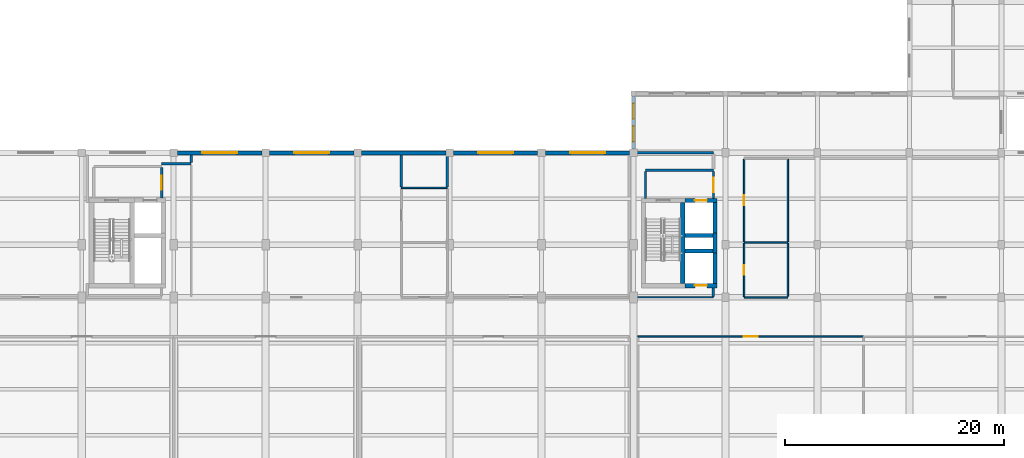
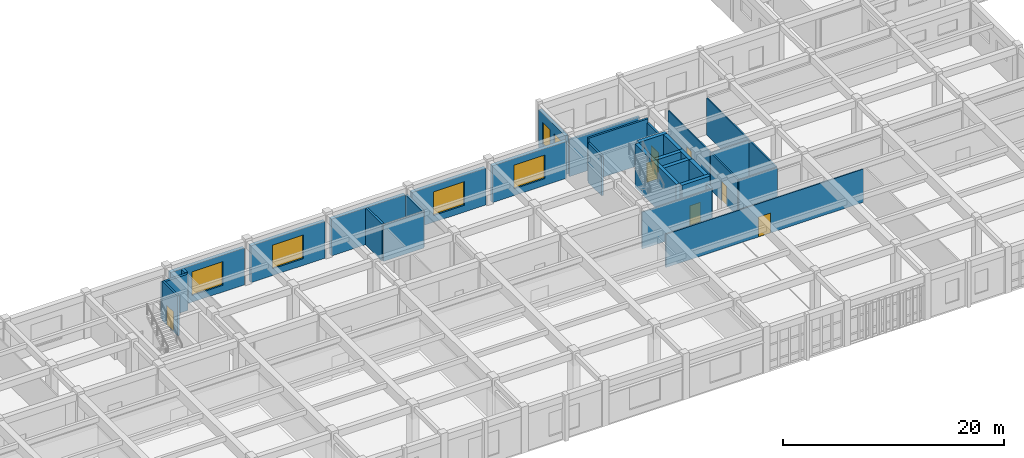
# One storey, part 88 of 106: 33 walls, 7 doors, 6 windows, 13 openings.
"""IFC4 building model written with IfcOpenShell, lengths in metres."""

from ifc_helpers import new_model, si_unit, direction, frame, frame_2d, origin, place, context, subcontext, project, spatial, rectangle, extrude, material, layer, layer_set, type_object, element, fill, save


model = new_model("IFC4")

# Units and contexts
model_context = context("Model", 3, precision=1e-05, world=origin(), true_north=direction((0.0, 1.0)))
body_context = subcontext(model_context, "Body", "Model", "MODEL_VIEW")
ifc_project = project(units=[si_unit("LENGTHUNIT", "METRE"), si_unit("AREAUNIT", "SQUARE_METRE"), si_unit("VOLUMEUNIT", "CUBIC_METRE"), si_unit("PLANEANGLEUNIT", "RADIAN"), si_unit("MASSUNIT", "GRAM", prefix="KILO")], contexts=[model_context])

# Site, building, storey
site_placement = place(None, origin())
site = spatial("IfcSite", under=ifc_project, at=site_placement, CompositionType="ELEMENT")
building_placement = place(site_placement, origin())
building = spatial("IfcBuilding", under=site, at=building_placement, Name="Krzemoval Escarpment Law Courts", CompositionType="ELEMENT")
storey_placement = place(building_placement, frame((0.0, 0.0, 5.10009765625)))
storey = spatial("IfcBuildingStorey", under=building, at=storey_placement, Name="L01", CompositionType="ELEMENT", Elevation=5.10009765625)

# Wall, openings, windows
ifc_material_1 = material(Name="Precast concrete C40/50", Category="concrete")
ifc_layer_1 = layer(ifc_material_1, 0.300048828125)
ifc_layer_set_1 = layer_set([ifc_layer_1], Name="Precast concrete C40/50")
wall_type_1 = type_object("IfcWallType", Name="WL-EXT-300", PredefinedType="SOLIDWALL", material=ifc_layer_set_1)
wall_1_placement = place(storey_placement, frame((109.199951171875, 35.75, 0.0), z_axis=(0.0, 0.0, 1.0), x_axis=(0.0, 1.0, 0.0)))
wall_1 = element("IfcWall", 1, at=wall_1_placement, inside=storey, type_object=wall_type_1, Name="Exterior Wall EW-L01-0245", PredefinedType="SOLIDWALL", context=body_context, shape_type="SweptSolid", body=[
    extrude(rectangle(XDim=4.824951171875, YDim=0.300048828125, at=frame_2d((2.41259765625, 0.0))), origin(), (0.0, 0.0, 1.0), 4.27001953125),
])
opening_1_placement = place(wall_1_placement, frame((0.675048828125, 0.0, 0.85009765625)))
opening_1 = element("IfcOpeningElement", 2, at=opening_1_placement, cuts=wall_1, Name="Opening WN-L01-0253", PredefinedType="OPENING", context=body_context, shape_type="SweptSolid", body=[
    extrude(rectangle(XDim=1.39990234375, YDim=2.39990234375, at=frame_2d((0.699951171875, 1.199951171875))), frame((0.0, 0.16502, 0.0), z_axis=(0.0, -1.0, 0.0), x_axis=(1.0, 0.0, 0.0)), (0.0, 0.0, 1.0), 0.33005),
])
opening_2_placement = place(wall_1_placement, frame((2.75, 0.0, 0.85009765625)))
opening_2 = element("IfcOpeningElement", 3, at=opening_2_placement, cuts=wall_1, Name="Opening WN-L01-0254", PredefinedType="OPENING", context=body_context, shape_type="SweptSolid", body=[
    extrude(rectangle(XDim=1.39990234375, YDim=2.39990234375, at=frame_2d((0.699951171875, 1.199951171875))), frame((0.0, 0.16502, 0.0), z_axis=(0.0, -1.0, 0.0), x_axis=(1.0, 0.0, 0.0)), (0.0, 0.0, 1.0), 0.33005),
])
ifc_material_2 = material(Name="Thermally Broken Aluminium Frame with Triple Low-E Acoustic Glass", Category="aluminium")
window_type_1 = type_object("IfcWindowType", Name="WN-1400x2400", PartitioningType="SINGLE_PANEL", PredefinedType="WINDOW", material=ifc_material_2)
window_1_placement = place(opening_1_placement, origin())
window_1 = element("IfcWindow", 4, at=window_1_placement, inside=storey, type_object=window_type_1, Name="Facade Window WN-L01-0253", OverallHeight=2.39990234375, OverallWidth=1.39990234375, PartitioningType="SINGLE_PANEL", PredefinedType="WINDOW", context=body_context, shape_type="SweptSolid", body=[
    extrude(rectangle(XDim=1.39990234375, YDim=2.39990234375, at=frame_2d((0.699951171875, 1.199951171875))), frame((0.0, 0.030029296875, 0.0), z_axis=(0.0, -1.0, 0.0), x_axis=(1.0, 0.0, 0.0)), (0.0, 0.0, 1.0), 0.06005859375),
])
fill(opening_1, window_1)
window_2_placement = place(opening_2_placement, origin())
window_2 = element("IfcWindow", 5, at=window_2_placement, inside=storey, type_object=window_type_1, Name="Facade Window WN-L01-0254", OverallHeight=2.39990234375, OverallWidth=1.39990234375, PartitioningType="SINGLE_PANEL", PredefinedType="WINDOW", context=body_context, shape_type="SweptSolid", body=[
    extrude(rectangle(XDim=1.39990234375, YDim=2.39990234375, at=frame_2d((0.699951171875, 1.199951171875))), frame((0.0, 0.030029296875, 0.0), z_axis=(0.0, -1.0, 0.0), x_axis=(1.0, 0.0, 0.0)), (0.0, 0.0, 1.0), 0.06005859375),
])
fill(opening_2, window_2)

# Wall, opening, window
ifc_material_3 = material(Name="Precast concrete C40/50", Category="concrete")
ifc_layer_2 = layer(ifc_material_3, 0.360107421875)
ifc_layer_set_2 = layer_set([ifc_layer_2], Name="Precast concrete C40/50")
wall_type_2 = type_object("IfcWallType", Name="WL-EXT-360", PredefinedType="SOLIDWALL", material=ifc_layer_set_2)
wall_2_placement = place(storey_placement, frame((67.550048828125, 35.39990234375, 0.0), z_axis=(0.0, 0.0, 1.0), x_axis=(1.0, 0.0, 0.0)))
wall_2 = element("IfcWall", 6, at=wall_2_placement, inside=storey, type_object=wall_type_2, Name="Exterior Wall EW-L01-0261", PredefinedType="SOLIDWALL", context=body_context, shape_type="SweptSolid", body=[
    extrude(rectangle(XDim=7.699951171875, YDim=0.360107421875, at=frame_2d((3.85009765625, 0.0))), origin(), (0.0, 0.0, 1.0), 4.06982421875),
])
opening_3_placement = place(wall_2_placement, frame((2.25, 0.0, 0.75)))
opening_3 = element("IfcOpeningElement", 7, at=opening_3_placement, cuts=wall_2, Name="Opening WN-L01-0276", PredefinedType="OPENING", context=body_context, shape_type="SweptSolid", body=[
    extrude(rectangle(XDim=3.199951171875, YDim=2.60009765625, at=frame_2d((1.60009765625, 1.300048828125))), frame((0.0, 0.19505, 0.0), z_axis=(0.0, -1.0, 0.0), x_axis=(1.0, 0.0, 0.0)), (0.0, 0.0, 1.0), 0.39011),
])
ifc_material_4 = material(Name="Thermally Broken Aluminium Frame with Triple Low-E Acoustic Glass", Category="aluminium")
window_type_2 = type_object("IfcWindowType", Name="WN-3200x2600", PartitioningType="SINGLE_PANEL", PredefinedType="WINDOW", material=ifc_material_4)
window_3_placement = place(opening_3_placement, origin())
window_3 = element("IfcWindow", 8, at=window_3_placement, inside=storey, type_object=window_type_2, Name="Facade Window WN-L01-0276", OverallHeight=2.60009765625, OverallWidth=3.199951171875, PartitioningType="SINGLE_PANEL", PredefinedType="WINDOW", context=body_context, shape_type="SweptSolid", body=[
    extrude(rectangle(XDim=3.199951171875, YDim=2.60009765625, at=frame_2d((1.60009765625, 1.300048828125))), frame((0.0, 0.030029296875, 0.0), z_axis=(0.0, -1.0, 0.0), x_axis=(1.0, 0.0, 0.0)), (0.0, 0.0, 1.0), 0.06005859375),
])
fill(opening_3, window_3)

wall_3_placement = place(storey_placement, frame((75.949951171875, 35.39990234375, 0.0), z_axis=(0.0, 0.0, 1.0), x_axis=(1.0, 0.0, 0.0)))
wall_3 = element("IfcWall", 9, at=wall_3_placement, inside=storey, type_object=wall_type_2, Name="Exterior Wall EW-L01-0262", PredefinedType="SOLIDWALL", context=body_context, shape_type="SweptSolid", body=[
    extrude(rectangle(XDim=7.699951171875, YDim=0.360107421875, at=frame_2d((3.85009765625, 0.0))), origin(), (0.0, 0.0, 1.0), 4.06982421875),
])
opening_4_placement = place(wall_3_placement, frame((2.25, 0.0, 0.75)))
opening_4 = element("IfcOpeningElement", 10, at=opening_4_placement, cuts=wall_3, Name="Opening WN-L01-0277", PredefinedType="OPENING", context=body_context, shape_type="SweptSolid", body=[
    extrude(rectangle(XDim=3.199951171875, YDim=2.60009765625, at=frame_2d((1.60009765625, 1.300048828125))), frame((0.0, 0.19505, 0.0), z_axis=(0.0, -1.0, 0.0), x_axis=(1.0, 0.0, 0.0)), (0.0, 0.0, 1.0), 0.39011),
])
window_4_placement = place(opening_4_placement, origin())
window_4 = element("IfcWindow", 11, at=window_4_placement, inside=storey, type_object=window_type_2, Name="Facade Window WN-L01-0277", OverallHeight=2.60009765625, OverallWidth=3.199951171875, PartitioningType="SINGLE_PANEL", PredefinedType="WINDOW", context=body_context, shape_type="SweptSolid", body=[
    extrude(rectangle(XDim=3.199951171875, YDim=2.60009765625, at=frame_2d((1.60009765625, 1.300048828125))), frame((0.0, 0.030029296875, 0.0), z_axis=(0.0, -1.0, 0.0), x_axis=(1.0, 0.0, 0.0)), (0.0, 0.0, 1.0), 0.06005859375),
])
fill(opening_4, window_4)

# Wall
wall_4_placement = place(storey_placement, frame((84.35009765625, 35.39990234375, 0.0), z_axis=(0.0, 0.0, 1.0), x_axis=(1.0, 0.0, 0.0)))
element("IfcWall", 12, at=wall_4_placement, inside=storey, type_object=wall_type_2, Name="Exterior Wall EW-L01-0263", PredefinedType="SOLIDWALL", context=body_context, shape_type="SweptSolid", body=[
    extrude(rectangle(XDim=7.699951171875, YDim=0.360107421875, at=frame_2d((3.85009765625, 0.0))), origin(), (0.0, 0.0, 1.0), 4.06982421875),
])

# Wall, opening, window
wall_5_placement = place(storey_placement, frame((92.75, 35.39990234375, 0.0), z_axis=(0.0, 0.0, 1.0), x_axis=(1.0, 0.0, 0.0)))
wall_5 = element("IfcWall", 13, at=wall_5_placement, inside=storey, type_object=wall_type_2, Name="Exterior Wall EW-L01-0264", PredefinedType="SOLIDWALL", context=body_context, shape_type="SweptSolid", body=[
    extrude(rectangle(XDim=7.699951171875, YDim=0.360107421875, at=frame_2d((3.85009765625, 0.0))), origin(), (0.0, 0.0, 1.0), 4.06982421875),
])
opening_5_placement = place(wall_5_placement, frame((2.25, 0.0, 0.75)))
opening_5 = element("IfcOpeningElement", 14, at=opening_5_placement, cuts=wall_5, Name="Opening WN-L01-0278", PredefinedType="OPENING", context=body_context, shape_type="SweptSolid", body=[
    extrude(rectangle(XDim=3.199951171875, YDim=2.60009765625, at=frame_2d((1.60009765625, 1.300048828125))), frame((0.0, 0.19505, 0.0), z_axis=(0.0, -1.0, 0.0), x_axis=(1.0, 0.0, 0.0)), (0.0, 0.0, 1.0), 0.39011),
])
window_5_placement = place(opening_5_placement, origin())
window_5 = element("IfcWindow", 15, at=window_5_placement, inside=storey, type_object=window_type_2, Name="Facade Window WN-L01-0278", OverallHeight=2.60009765625, OverallWidth=3.199951171875, PartitioningType="SINGLE_PANEL", PredefinedType="WINDOW", context=body_context, shape_type="SweptSolid", body=[
    extrude(rectangle(XDim=3.199951171875, YDim=2.60009765625, at=frame_2d((1.60009765625, 1.300048828125))), frame((0.0, 0.030029296875, 0.0), z_axis=(0.0, -1.0, 0.0), x_axis=(1.0, 0.0, 0.0)), (0.0, 0.0, 1.0), 0.06005859375),
])
fill(opening_5, window_5)

wall_6_placement = place(storey_placement, frame((101.14990234375, 35.39990234375, 0.0), z_axis=(0.0, 0.0, 1.0), x_axis=(1.0, 0.0, 0.0)))
wall_6 = element("IfcWall", 16, at=wall_6_placement, inside=storey, type_object=wall_type_2, Name="Exterior Wall EW-L01-0265", PredefinedType="SOLIDWALL", context=body_context, shape_type="SweptSolid", body=[
    extrude(rectangle(XDim=7.7001953125, YDim=0.360107421875, at=frame_2d((3.85009765625, 0.0))), origin(), (0.0, 0.0, 1.0), 4.06982421875),
])
opening_6_placement = place(wall_6_placement, frame((2.25, 0.0, 0.75)))
opening_6 = element("IfcOpeningElement", 17, at=opening_6_placement, cuts=wall_6, Name="Opening WN-L01-0279", PredefinedType="OPENING", context=body_context, shape_type="SweptSolid", body=[
    extrude(rectangle(XDim=3.199951171875, YDim=2.60009765625, at=frame_2d((1.60009765625, 1.300048828125))), frame((0.0, 0.19505, 0.0), z_axis=(0.0, -1.0, 0.0), x_axis=(1.0, 0.0, 0.0)), (0.0, 0.0, 1.0), 0.39011),
])
window_6_placement = place(opening_6_placement, origin())
window_6 = element("IfcWindow", 18, at=window_6_placement, inside=storey, type_object=window_type_2, Name="Facade Window WN-L01-0279", OverallHeight=2.60009765625, OverallWidth=3.199951171875, PartitioningType="SINGLE_PANEL", PredefinedType="WINDOW", context=body_context, shape_type="SweptSolid", body=[
    extrude(rectangle(XDim=3.199951171875, YDim=2.60009765625, at=frame_2d((1.60009765625, 1.300048828125))), frame((0.0, 0.030029296875, 0.0), z_axis=(0.0, -1.0, 0.0), x_axis=(1.0, 0.0, 0.0)), (0.0, 0.0, 1.0), 0.06005859375),
])
fill(opening_6, window_6)

# Wall
ifc_material_5 = material(Name="Standard Metal-Stud Gypsum Partition", Category="gypsum")
ifc_layer_3 = layer(ifc_material_5, 0.125)
ifc_layer_set_3 = layer_set([ifc_layer_3], Name="Standard Metal-Stud Gypsum Partition")
wall_type_3 = type_object("IfcWallType", Name="WL-PRT-125", PredefinedType="PARTITIONING", material=ifc_layer_set_3)
wall_7_placement = place(storey_placement, frame((109.199951171875, 22.199951171875, 0.0), z_axis=(0.0, 0.0, 1.0), x_axis=(1.0, 0.0, 0.0)))
element("IfcWall", 19, at=wall_7_placement, inside=storey, type_object=wall_type_3, Name="Interior Partition PW-L01-0243", PredefinedType="PARTITIONING", context=body_context, shape_type="SweptSolid", body=[
    extrude(rectangle(XDim=7.300048828125, YDim=0.125, at=frame_2d((3.64990234375, 0.0))), origin(), (0.0, 0.0, 1.0), 4.06982421875),
])

# Wall, opening, door
ifc_material_6 = material(Name="Sanitary Moisture-Resistant Partition", Category="gypsum")
ifc_layer_4 = layer(ifc_material_6, 0.139892578125)
ifc_layer_set_4 = layer_set([ifc_layer_4], Name="Sanitary Moisture-Resistant Partition")
wall_type_4 = type_object("IfcWallType", Name="WL-PRT-140", PredefinedType="PARTITIONING", material=ifc_layer_set_4)
wall_8_placement = place(storey_placement, frame((109.60009765625, 18.60009765625, 0.0), z_axis=(0.0, 0.0, 1.0), x_axis=(1.0, 0.0, 0.0)))
wall_8 = element("IfcWall", 20, at=wall_8_placement, inside=storey, type_object=wall_type_4, Name="Interior Partition PW-L01-0231", PredefinedType="PARTITIONING", context=body_context, shape_type="SweptSolid", body=[
    extrude(rectangle(XDim=20.599853515625, YDim=0.139892578125, at=frame_2d((10.2998046875, 0.0))), origin(), (0.0, 0.0, 1.0), 3.669921875),
])
opening_7_placement = place(wall_8_placement, frame((9.675048828125, 0.0, 0.0)))
opening_7 = element("IfcOpeningElement", 21, at=opening_7_placement, cuts=wall_8, Name="Opening D-L01-0102", PredefinedType="OPENING", context=body_context, shape_type="SweptSolid", body=[
    extrude(rectangle(XDim=1.25, YDim=2.199951171875, at=frame_2d((0.625, 1.10009765625))), frame((0.0, 0.08495, 0.0), z_axis=(0.0, -1.0, 0.0), x_axis=(1.0, 0.0, 0.0)), (0.0, 0.0, 1.0), 0.16989),
])
ifc_material_7 = material(Name="Engineered Solid-Core Oak Acoustic Timber", Category="wood")
door_type_1 = type_object("IfcDoorType", Name="DR-INT-1250x2200", OperationType="SINGLE_SWING_LEFT", PredefinedType="DOOR", material=ifc_material_7)
door_1_placement = place(opening_7_placement, origin())
door_1 = element("IfcDoor", 22, at=door_1_placement, inside=storey, type_object=door_type_1, Name="Room Door D-L01-0102", OperationType="SINGLE_SWING_RIGHT", OverallHeight=2.199951171875, OverallWidth=1.25, PredefinedType="DOOR", context=body_context, shape_type="SweptSolid", body=[
    extrude(rectangle(XDim=1.25, YDim=2.199951171875, at=frame_2d((0.625, 1.10009765625))), frame((0.0, 0.02490234375, 0.0), z_axis=(0.0, -1.0, 0.0), x_axis=(1.0, 0.0, 0.0)), (0.0, 0.0, 1.0), 0.050048828125),
])
fill(opening_7, door_1)

# Walls
for number, where, z_axis, x_axis, name in (
    (23, (119.300048828125, 22.199951171875, 0.0), (0.0, 0.0, 1.0), (1.0, 0.0, 0.0), "Interior Partition PW-L01-0244"),
    (24, (119.300048828125, 27.199951171875, 0.0), (0.0, 0.0, 1.0), (1.0, 0.0, 0.0), "Interior Partition PW-L01-0247"),
):
    element("IfcWall", number, at=place(storey_placement, frame(where, z_axis=z_axis, x_axis=x_axis)), inside=storey, type_object=wall_type_4, Name=name, PredefinedType="PARTITIONING", context=body_context, shape_type="SweptSolid", body=[
        extrude(rectangle(XDim=4.0, YDim=0.139892578125, at=frame_2d((2.0, 0.0))), origin(), (0.0, 0.0, 1.0), 4.06982421875),
    ])
wall_9_placement = place(storey_placement, frame((88.0, 32.199951171875, 0.0), z_axis=(0.0, 0.0, 1.0), x_axis=(1.0, 0.0, 0.0)))
element("IfcWall", 25, at=wall_9_placement, inside=storey, type_object=wall_type_4, Name="Interior Partition PW-L01-0249", PredefinedType="PARTITIONING", context=body_context, shape_type="SweptSolid", body=[
    extrude(rectangle(XDim=4.199951171875, YDim=0.139892578125, at=frame_2d((2.10009765625, 0.0))), origin(), (0.0, 0.0, 1.0), 4.02001953125),
])

# Wall, opening, door
wall_10_placement = place(storey_placement, frame((119.300048828125, 22.27197265625, 0.0), z_axis=(0.0, 0.0, 1.0), x_axis=(0.0, 1.0, 0.0)))
wall_10 = element("IfcWall", 26, at=wall_10_placement, inside=storey, type_object=wall_type_4, Name="Interior Partition PW-L01-0343", PredefinedType="PARTITIONING", context=body_context, shape_type="SweptSolid", body=[
    extrude(rectangle(XDim=4.85595703125, YDim=0.139892578125, at=frame_2d((2.427978515625, 0.0))), origin(), (0.0, 0.0, 1.0), 4.06982421875),
])
opening_8_placement = place(wall_10_placement, frame((1.97802734375, 0.0, 0.0)))
opening_8 = element("IfcOpeningElement", 27, at=opening_8_placement, cuts=wall_10, Name="Opening D-L01-0104", PredefinedType="OPENING", context=body_context, shape_type="SweptSolid", body=[
    extrude(rectangle(XDim=0.89990234375, YDim=2.10009765625, at=frame_2d((0.449951171875, 1.050048828125))), frame((0.0, 0.08495, 0.0), z_axis=(0.0, -1.0, 0.0), x_axis=(1.0, 0.0, 0.0)), (0.0, 0.0, 1.0), 0.16989),
])
ifc_material_8 = material(Name="Engineered Solid-Core Oak Acoustic Timber", Category="wood")
door_type_2 = type_object("IfcDoorType", Name="DR-INT-900x2100", OperationType="SINGLE_SWING_LEFT", PredefinedType="DOOR", material=ifc_material_8)
door_2_placement = place(opening_8_placement, origin())
door_2 = element("IfcDoor", 28, at=door_2_placement, inside=storey, type_object=door_type_2, Name="Room Door D-L01-0104", OperationType="SINGLE_SWING_LEFT", OverallHeight=2.10009765625, OverallWidth=0.89990234375, PredefinedType="DOOR", context=body_context, shape_type="SweptSolid", body=[
    extrude(rectangle(XDim=0.89990234375, YDim=2.10009765625, at=frame_2d((0.449951171875, 1.050048828125))), frame((0.0, 0.02490234375, 0.0), z_axis=(0.0, -1.0, 0.0), x_axis=(1.0, 0.0, 0.0)), (0.0, 0.0, 1.0), 0.050048828125),
])
fill(opening_8, door_2)

wall_11_placement = place(storey_placement, frame((119.300048828125, 27.27197265625, 0.0), z_axis=(0.0, 0.0, 1.0), x_axis=(0.0, 1.0, 0.0)))
wall_11 = element("IfcWall", 29, at=wall_11_placement, inside=storey, type_object=wall_type_4, Name="Interior Partition PW-L01-0344", PredefinedType="PARTITIONING", context=body_context, shape_type="SweptSolid", body=[
    extrude(rectangle(XDim=7.555908203125, YDim=0.139892578125, at=frame_2d((3.77783203125, 0.0))), origin(), (0.0, 0.0, 1.0), 4.06982421875),
])
opening_9_placement = place(wall_11_placement, frame((3.327880859375, 0.0, 0.0)))
opening_9 = element("IfcOpeningElement", 30, at=opening_9_placement, cuts=wall_11, Name="Opening D-L01-0105", PredefinedType="OPENING", context=body_context, shape_type="SweptSolid", body=[
    extrude(rectangle(XDim=0.89990234375, YDim=2.10009765625, at=frame_2d((0.449951171875, 1.050048828125))), frame((0.0, 0.08495, 0.0), z_axis=(0.0, -1.0, 0.0), x_axis=(1.0, 0.0, 0.0)), (0.0, 0.0, 1.0), 0.16989),
])
door_3_placement = place(opening_9_placement, origin())
door_3 = element("IfcDoor", 31, at=door_3_placement, inside=storey, type_object=door_type_2, Name="Room Door D-L01-0105", OperationType="SINGLE_SWING_RIGHT", OverallHeight=2.10009765625, OverallWidth=0.89990234375, PredefinedType="DOOR", context=body_context, shape_type="SweptSolid", body=[
    extrude(rectangle(XDim=0.89990234375, YDim=2.10009765625, at=frame_2d((0.449951171875, 1.050048828125))), frame((0.0, 0.02490234375, 0.0), z_axis=(0.0, -1.0, 0.0), x_axis=(1.0, 0.0, 0.0)), (0.0, 0.0, 1.0), 0.050048828125),
])
fill(opening_9, door_3)

# Walls
wall_12_placement = place(storey_placement, frame((123.300048828125, 22.31689453125, 0.0), z_axis=(0.0, 0.0, 1.0), x_axis=(0.0, 1.0, 0.0)))
element("IfcWall", 32, at=wall_12_placement, inside=storey, type_object=wall_type_4, Name="Interior Partition PW-L01-0345", PredefinedType="PARTITIONING", context=body_context, shape_type="SweptSolid", body=[
    extrude(rectangle(XDim=4.81103515625, YDim=0.139892578125, at=frame_2d((2.405517578125, 0.0))), origin(), (0.0, 0.0, 1.0), 4.06982421875),
])
wall_13_placement = place(storey_placement, frame((123.300048828125, 27.27197265625, 0.0), z_axis=(0.0, 0.0, 1.0), x_axis=(0.0, 1.0, 0.0)))
element("IfcWall", 33, at=wall_13_placement, inside=storey, type_object=wall_type_4, Name="Interior Partition PW-L01-0346", PredefinedType="PARTITIONING", context=body_context, shape_type="SweptSolid", body=[
    extrude(rectangle(XDim=7.526123046875, YDim=0.139892578125, at=frame_2d((3.76318359375, 0.0))), origin(), (0.0, 0.0, 1.0), 4.06982421875),
])
ifc_material_9 = material(Name="Fire-Rated Corridor Partition Wall", Category="gypsum")
ifc_layer_5 = layer(ifc_material_9, 0.199951171875)
ifc_layer_set_5 = layer_set([ifc_layer_5], Name="Fire-Rated Corridor Partition Wall")
wall_type_5 = type_object("IfcWallType", Name="WL-PRT-200", PredefinedType="PARTITIONING", material=ifc_layer_set_5)
wall_14_placement = place(storey_placement, frame((110.300048828125, 33.800048828125, 0.0), z_axis=(0.0, 0.0, 1.0), x_axis=(1.0, 0.0, 0.0)))
element("IfcWall", 34, at=wall_14_placement, inside=storey, type_object=wall_type_5, Name="Interior Partition PW-L01-0250", PredefinedType="PARTITIONING", context=body_context, shape_type="SweptSolid", body=[
    extrude(rectangle(XDim=6.199951171875, YDim=0.199951171875, at=frame_2d((3.10009765625, 0.0))), origin(), (0.0, 0.0, 1.0), 4.81982421875),
])
wall_15_placement = place(storey_placement, frame((109.212890625, 35.39990234375, 0.0), z_axis=(0.0, 0.0, 1.0), x_axis=(1.0, 0.0, 0.0)))
element("IfcWall", 35, at=wall_15_placement, inside=storey, type_object=wall_type_5, Name="Interior Partition PW-L01-0260", PredefinedType="PARTITIONING", context=body_context, shape_type="SweptSolid", body=[
    extrude(rectangle(XDim=7.287109375, YDim=0.199951171875, at=frame_2d((3.6435546875, 0.0))), origin(), (0.0, 0.0, 1.0), 4.06982421875),
])

# Wall, opening, door
wall_16_placement = place(storey_placement, frame((66.10009765625, 31.27197265625, 0.0), z_axis=(0.0, 0.0, 1.0), x_axis=(0.0, 1.0, 0.0)))
wall_16 = element("IfcWall", 36, at=wall_16_placement, inside=storey, type_object=wall_type_5, Name="Interior Partition PW-L01-0322", PredefinedType="PARTITIONING", context=body_context, shape_type="SweptSolid", body=[
    extrude(rectangle(XDim=2.776123046875, YDim=0.199951171875, at=frame_2d((1.38818359375, 0.0))), origin(), (0.0, 0.0, 1.0), 4.369873046875),
])
opening_10_placement = place(wall_16_placement, frame((0.738037109375, 0.0, 0.0)))
opening_10 = element("IfcOpeningElement", 37, at=opening_10_placement, cuts=wall_16, Name="Opening D-L01-0083", PredefinedType="OPENING", context=body_context, shape_type="SweptSolid", body=[
    extrude(rectangle(XDim=1.300048828125, YDim=2.199951171875, at=frame_2d((0.64990234375, 1.10009765625))), frame((0.0, 0.11498, 0.0), z_axis=(0.0, -1.0, 0.0), x_axis=(1.0, 0.0, 0.0)), (0.0, 0.0, 1.0), 0.22995),
])
ifc_material_10 = material(Name="Galvanised Steel S355", Category="steel")
door_type_3 = type_object("IfcDoorType", Name="DR-STR-1300x2200", OperationType="SINGLE_SWING_LEFT", PredefinedType="DOOR", material=ifc_material_10)
door_4_placement = place(opening_10_placement, origin())
door_4 = element("IfcDoor", 38, at=door_4_placement, inside=storey, type_object=door_type_3, Name="Room Door D-L01-0083", OperationType="SINGLE_SWING_LEFT", OverallHeight=2.199951171875, OverallWidth=1.300048828125, PredefinedType="DOOR", context=body_context, shape_type="SweptSolid", body=[
    extrude(rectangle(XDim=1.300048828125, YDim=2.199951171875, at=frame_2d((0.64990234375, 1.10009765625))), frame((0.0, 0.02490234375, 0.0), z_axis=(0.0, -1.0, 0.0), x_axis=(1.0, 0.0, 0.0)), (0.0, 0.0, 1.0), 0.050048828125),
])
fill(opening_10, door_4)

# Wall
wall_17_placement = place(storey_placement, frame((110.300048828125, 31.23193359375, 0.0), z_axis=(0.0, 0.0, 1.0), x_axis=(0.0, 1.0, 0.0)))
element("IfcWall", 39, at=wall_17_placement, inside=storey, type_object=wall_type_5, Name="Interior Partition PW-L01-0339", PredefinedType="PARTITIONING", context=body_context, shape_type="SweptSolid", body=[
    extrude(rectangle(XDim=2.466064453125, YDim=0.199951171875, at=frame_2d((1.23291015625, 0.0))), origin(), (0.0, 0.0, 1.0), 4.369873046875),
])

# Wall, opening, door
wall_18_placement = place(storey_placement, frame((116.5, 31.23193359375, 0.0), z_axis=(0.0, 0.0, 1.0), x_axis=(0.0, 1.0, 0.0)))
wall_18 = element("IfcWall", 40, at=wall_18_placement, inside=storey, type_object=wall_type_5, Name="Interior Partition PW-L01-0340", PredefinedType="PARTITIONING", context=body_context, shape_type="SweptSolid", body=[
    extrude(rectangle(XDim=2.466064453125, YDim=0.199951171875, at=frame_2d((1.23291015625, 0.0))), origin(), (0.0, 0.0, 1.0), 4.369873046875),
])
opening_11_placement = place(wall_18_placement, frame((0.5830078125, 0.0, 0.0)))
opening_11 = element("IfcOpeningElement", 41, at=opening_11_placement, cuts=wall_18, Name="Opening D-L01-0085", PredefinedType="OPENING", context=body_context, shape_type="SweptSolid", body=[
    extrude(rectangle(XDim=1.300048828125, YDim=2.199951171875, at=frame_2d((0.64990234375, 1.10009765625))), frame((0.0, 0.11498, 0.0), z_axis=(0.0, -1.0, 0.0), x_axis=(1.0, 0.0, 0.0)), (0.0, 0.0, 1.0), 0.22995),
])
door_5_placement = place(opening_11_placement, origin())
door_5 = element("IfcDoor", 42, at=door_5_placement, inside=storey, type_object=door_type_3, Name="Room Door D-L01-0085", OperationType="SINGLE_SWING_LEFT", OverallHeight=2.199951171875, OverallWidth=1.300048828125, PredefinedType="DOOR", context=body_context, shape_type="SweptSolid", body=[
    extrude(rectangle(XDim=1.300048828125, YDim=2.199951171875, at=frame_2d((0.64990234375, 1.10009765625))), frame((0.0, 0.02490234375, 0.0), z_axis=(0.0, -1.0, 0.0), x_axis=(1.0, 0.0, 0.0)), (0.0, 0.0, 1.0), 0.050048828125),
])
fill(opening_11, door_5)

# Walls
ifc_material_11 = material(Name="Solid Calcium-Silicate Custody Blockwork Partition", Category="masonry")
ifc_layer_6 = layer(ifc_material_11, 0.219970703125)
ifc_layer_set_6 = layer_set([ifc_layer_6], Name="Solid Calcium-Silicate Custody Blockwork Partition")
wall_type_6 = type_object("IfcWallType", Name="WL-PRT-220", PredefinedType="PARTITIONING", material=ifc_layer_set_6)
wall_19_placement = place(storey_placement, frame((88.0, 32.27197265625, 0.0), z_axis=(0.0, 0.0, 1.0), x_axis=(0.0, 1.0, 0.0)))
element("IfcWall", 43, at=wall_19_placement, inside=storey, type_object=wall_type_6, Name="Interior Partition PW-L01-0329", PredefinedType="PARTITIONING", context=body_context, shape_type="SweptSolid", body=[
    extrude(rectangle(XDim=2.946044921875, YDim=0.219970703125, at=frame_2d((1.47314453125, 0.0))), origin(), (0.0, 0.0, 1.0), 4.06982421875),
])
ifc_material_12 = material(Name="Acoustic Calcium-Silicate Block Wall", Category="masonry")
ifc_layer_7 = layer(ifc_material_12, 0.22998046875)
ifc_layer_set_7 = layer_set([ifc_layer_7], Name="Acoustic Calcium-Silicate Block Wall")
wall_type_7 = type_object("IfcWallType", Name="WL-PRT-230", PredefinedType="SOLIDWALL", material=ifc_layer_set_7)
wall_20_placement = place(storey_placement, frame((92.199951171875, 32.27197265625, 0.0), z_axis=(0.0, 0.0, 1.0), x_axis=(0.0, 1.0, 0.0)))
element("IfcWall", 44, at=wall_20_placement, inside=storey, type_object=wall_type_7, Name="Interior Partition PW-L01-0334", PredefinedType="SOLIDWALL", context=body_context, shape_type="SweptSolid", body=[
    extrude(rectangle(XDim=2.97998046875, YDim=0.22998046875, at=frame_2d((1.489990234375, 0.0))), origin(), (0.0, 0.0, 1.0), 4.02001953125),
])
wall_21_placement = place(storey_placement, frame((116.5, 22.263916015625, 0.0), z_axis=(0.0, 0.0, 1.0), x_axis=(0.0, 1.0, 0.0)))
element("IfcWall", 45, at=wall_21_placement, inside=storey, type_object=wall_type_7, Name="Interior Partition PW-L01-0341", PredefinedType="SOLIDWALL", context=body_context, shape_type="SweptSolid", body=[
    extrude(rectangle(XDim=0.80419921875, YDim=0.22998046875, at=frame_2d((0.402099609375, 0.0))), origin(), (0.0, 0.0, 1.0), 4.06982421875),
])
ifc_material_13 = material(Name="Acoustic Courtroom Partition Assembly", Category="gypsum")
ifc_layer_8 = layer(ifc_material_13, 0.239990234375)
ifc_layer_set_8 = layer_set([ifc_layer_8], Name="Acoustic Courtroom Partition Assembly")
wall_type_8 = type_object("IfcWallType", Name="WL-PRT-240", PredefinedType="PARTITIONING", material=ifc_layer_set_8)
wall_22_placement = place(storey_placement, frame((66.10009765625, 34.39990234375, 0.0), z_axis=(0.0, 0.0, 1.0), x_axis=(1.0, 0.0, 0.0)))
element("IfcWall", 46, at=wall_22_placement, inside=storey, type_object=wall_type_8, Name="Interior Partition PW-L01-0252", PredefinedType="PARTITIONING", context=body_context, shape_type="SweptSolid", body=[
    extrude(rectangle(XDim=2.699951171875, YDim=0.239990234375, at=frame_2d((1.35009765625, 0.0))), origin(), (0.0, 0.0, 1.0), 4.02001953125),
])
ifc_material_14 = material(Name="Acoustic Double-Stud Gypsum and Mineral Wool Wall", Category="gypsum")
ifc_layer_9 = layer(ifc_material_14, 0.260009765625)
ifc_layer_set_9 = layer_set([ifc_layer_9], Name="Acoustic Double-Stud Gypsum and Mineral Wool Wall")
wall_type_9 = type_object("IfcWallType", Name="WL-PRT-260", PredefinedType="PARTITIONING", material=ifc_layer_set_9)
wall_23_placement = place(storey_placement, frame((68.800048828125, 34.52197265625, 0.0), z_axis=(0.0, 0.0, 1.0), x_axis=(0.0, 1.0, 0.0)))
element("IfcWall", 47, at=wall_23_placement, inside=storey, type_object=wall_type_9, Name="Interior Partition PW-L01-0327", PredefinedType="PARTITIONING", context=body_context, shape_type="SweptSolid", body=[
    extrude(rectangle(XDim=0.696044921875, YDim=0.260009765625, at=frame_2d((0.34814453125, 0.0))), origin(), (0.0, 0.0, 1.0), 4.06982421875),
])
ifc_material_15 = material(Name="Concrete C40/50", Category="concrete")
ifc_layer_10 = layer(ifc_material_15, 0.35009765625)
ifc_layer_set_10 = layer_set([ifc_layer_10], Name="Concrete C40/50")
wall_type_10 = type_object("IfcWallType", Name="WL-SHW-350", PredefinedType="SHEAR", material=ifc_layer_set_10)
wall_24_placement = place(storey_placement, frame((116.639892578125, 26.242919921875, 0.0), z_axis=(0.0, 0.0, 1.0), x_axis=(0.0, 1.0, 0.0)))
element("IfcWall", 48, at=wall_24_placement, inside=storey, type_object=wall_type_10, Name="Riser Shaft Wall SW-L01-0572", PredefinedType="SHEAR", context=body_context, shape_type="SweptSolid", body=[
    extrude(rectangle(XDim=1.81396484375, YDim=0.35009765625, at=frame_2d((0.906982421875, 0.0))), origin(), (0.0, 0.0, 1.0), 4.81982421875),
])
ifc_material_16 = material(Name="Concrete C40/50", Category="concrete")
ifc_layer_11 = layer(ifc_material_16, 0.3798828125)
ifc_layer_set_11 = layer_set([ifc_layer_11], Name="Concrete C40/50")
wall_type_11 = type_object("IfcWallType", Name="WL-SHW-380", PredefinedType="SHEAR", material=ifc_layer_set_11)
wall_25_placement = place(storey_placement, frame((113.68994140625, 23.451904296875, 0.0), z_axis=(0.0, 0.0, 1.0), x_axis=(0.0, 1.0, 0.0)))
element("IfcWall", 49, at=wall_25_placement, inside=storey, type_object=wall_type_11, Name="Core Stair Shear Wall SW-L01-0565", PredefinedType="SHEAR", context=body_context, shape_type="SweptSolid", body=[
    extrude(rectangle(XDim=7.39599609375, YDim=0.3798828125, at=frame_2d((3.697998046875, 0.0))), origin(), (0.0, 0.0, 1.0), 4.81982421875),
])

# Wall, opening, door
wall_26_placement = place(storey_placement, frame((113.8798828125, 23.260009765625, 0.0), z_axis=(0.0, 0.0, 1.0), x_axis=(1.0, 0.0, 0.0)))
wall_26 = element("IfcWall", 50, at=wall_26_placement, inside=storey, type_object=wall_type_11, Name="Lift Shaft Shear Wall SW-L01-0566", PredefinedType="SHEAR", context=body_context, shape_type="SweptSolid", body=[
    extrude(rectangle(XDim=2.9501953125, YDim=0.3798828125, at=frame_2d((1.47509765625, 0.0))), origin(), (0.0, 0.0, 1.0), 4.81982421875),
])
opening_12_placement = place(wall_26_placement, frame((0.925048828125, 0.0, 0.0)))
opening_12 = element("IfcOpeningElement", 51, at=opening_12_placement, cuts=wall_26, Name="Opening LD-CL1-L01", PredefinedType="OPENING", context=body_context, shape_type="SweptSolid", body=[
    extrude(rectangle(XDim=1.10009765625, YDim=2.14990234375, at=frame_2d((0.550048828125, 1.074951171875))), frame((0.0, 0.20494, 0.0), z_axis=(0.0, -1.0, 0.0), x_axis=(1.0, 0.0, 0.0)), (0.0, 0.0, 1.0), 0.40988),
])
ifc_material_17 = material(Name="Stainless Steel Grade 304", Category="steel")
door_type_4 = type_object("IfcDoorType", Name="DR-LFT-1100x2150", OperationType="SINGLE_SWING_LEFT", PredefinedType="DOOR", material=ifc_material_17)
door_6_placement = place(opening_12_placement, origin())
door_6 = element("IfcDoor", 52, at=door_6_placement, inside=storey, type_object=door_type_4, Name="Lift Landing Door LD-CL1-L01", OperationType="DOUBLE_DOOR_SLIDING", OverallHeight=2.14990234375, OverallWidth=1.10009765625, PredefinedType="DOOR", context=body_context, shape_type="SweptSolid", body=[
    extrude(rectangle(XDim=1.10009765625, YDim=2.14990234375, at=frame_2d((0.550048828125, 1.074951171875))), frame((0.0, 0.02490234375, 0.0), z_axis=(0.0, -1.0, 0.0), x_axis=(1.0, 0.0, 0.0)), (0.0, 0.0, 1.0), 0.050048828125),
])
fill(opening_12, door_6)

# Walls
wall_27_placement = place(storey_placement, frame((113.882080078125, 26.43994140625, 0.0), z_axis=(0.0, 0.0, 1.0), x_axis=(1.0, 0.0, 0.0)))
element("IfcWall", 53, at=wall_27_placement, inside=storey, type_object=wall_type_11, Name="Lift Shaft Shear Wall SW-L01-0567", PredefinedType="SHEAR", context=body_context, shape_type="SweptSolid", body=[
    extrude(rectangle(XDim=2.947998046875, YDim=0.3798828125, at=frame_2d((1.47412109375, 0.0))), origin(), (0.0, 0.0, 1.0), 4.81982421875),
])
wall_28_placement = place(storey_placement, frame((116.639892578125, 23.451904296875, 0.0), z_axis=(0.0, 0.0, 1.0), x_axis=(0.0, 1.0, 0.0)))
element("IfcWall", 54, at=wall_28_placement, inside=storey, type_object=wall_type_11, Name="Lift Shaft Shear Wall SW-L01-0568", PredefinedType="SHEAR", context=body_context, shape_type="SweptSolid", body=[
    extrude(rectangle(XDim=2.796142578125, YDim=0.3798828125, at=frame_2d((1.39794921875, 0.0))), origin(), (0.0, 0.0, 1.0), 4.81982421875),
])
wall_29_placement = place(storey_placement, frame((113.882080078125, 27.860107421875, 0.0), z_axis=(0.0, 0.0, 1.0), x_axis=(1.0, 0.0, 0.0)))
element("IfcWall", 55, at=wall_29_placement, inside=storey, type_object=wall_type_11, Name="Lift Shaft Shear Wall SW-L01-0569", PredefinedType="SHEAR", context=body_context, shape_type="SweptSolid", body=[
    extrude(rectangle(XDim=2.947998046875, YDim=0.3798828125, at=frame_2d((1.47412109375, 0.0))), origin(), (0.0, 0.0, 1.0), 4.81982421875),
])

# Wall, opening, door
wall_30_placement = place(storey_placement, frame((113.8798828125, 31.0400390625, 0.0), z_axis=(0.0, 0.0, 1.0), x_axis=(1.0, 0.0, 0.0)))
wall_30 = element("IfcWall", 56, at=wall_30_placement, inside=storey, type_object=wall_type_11, Name="Lift Shaft Shear Wall SW-L01-0570", PredefinedType="SHEAR", context=body_context, shape_type="SweptSolid", body=[
    extrude(rectangle(XDim=2.9501953125, YDim=0.3798828125, at=frame_2d((1.47509765625, 0.0))), origin(), (0.0, 0.0, 1.0), 4.81982421875),
])
opening_13_placement = place(wall_30_placement, frame((0.925048828125, 0.0, 0.0)))
opening_13 = element("IfcOpeningElement", 57, at=opening_13_placement, cuts=wall_30, Name="Opening LD-CL2-L01", PredefinedType="OPENING", context=body_context, shape_type="SweptSolid", body=[
    extrude(rectangle(XDim=1.10009765625, YDim=2.14990234375, at=frame_2d((0.550048828125, 1.074951171875))), frame((0.0, 0.20494, 0.0), z_axis=(0.0, -1.0, 0.0), x_axis=(1.0, 0.0, 0.0)), (0.0, 0.0, 1.0), 0.40988),
])
door_7_placement = place(opening_13_placement, origin())
door_7 = element("IfcDoor", 58, at=door_7_placement, inside=storey, type_object=door_type_4, Name="Lift Landing Door LD-CL2-L01", OperationType="DOUBLE_DOOR_SLIDING", OverallHeight=2.14990234375, OverallWidth=1.10009765625, PredefinedType="DOOR", context=body_context, shape_type="SweptSolid", body=[
    extrude(rectangle(XDim=1.10009765625, YDim=2.14990234375, at=frame_2d((0.550048828125, 1.074951171875))), frame((0.0, 0.02490234375, 0.0), z_axis=(0.0, -1.0, 0.0), x_axis=(1.0, 0.0, 0.0)), (0.0, 0.0, 1.0), 0.050048828125),
])
fill(opening_13, door_7)

# Wall
wall_31_placement = place(storey_placement, frame((116.639892578125, 28.052001953125, 0.0), z_axis=(0.0, 0.0, 1.0), x_axis=(0.0, 1.0, 0.0)))
element("IfcWall", 59, at=wall_31_placement, inside=storey, type_object=wall_type_11, Name="Lift Shaft Shear Wall SW-L01-0571", PredefinedType="SHEAR", context=body_context, shape_type="SweptSolid", body=[
    extrude(rectangle(XDim=2.7958984375, YDim=0.3798828125, at=frame_2d((1.39794921875, 0.0))), origin(), (0.0, 0.0, 1.0), 4.81982421875),
])

save(model, "model.ifc")
